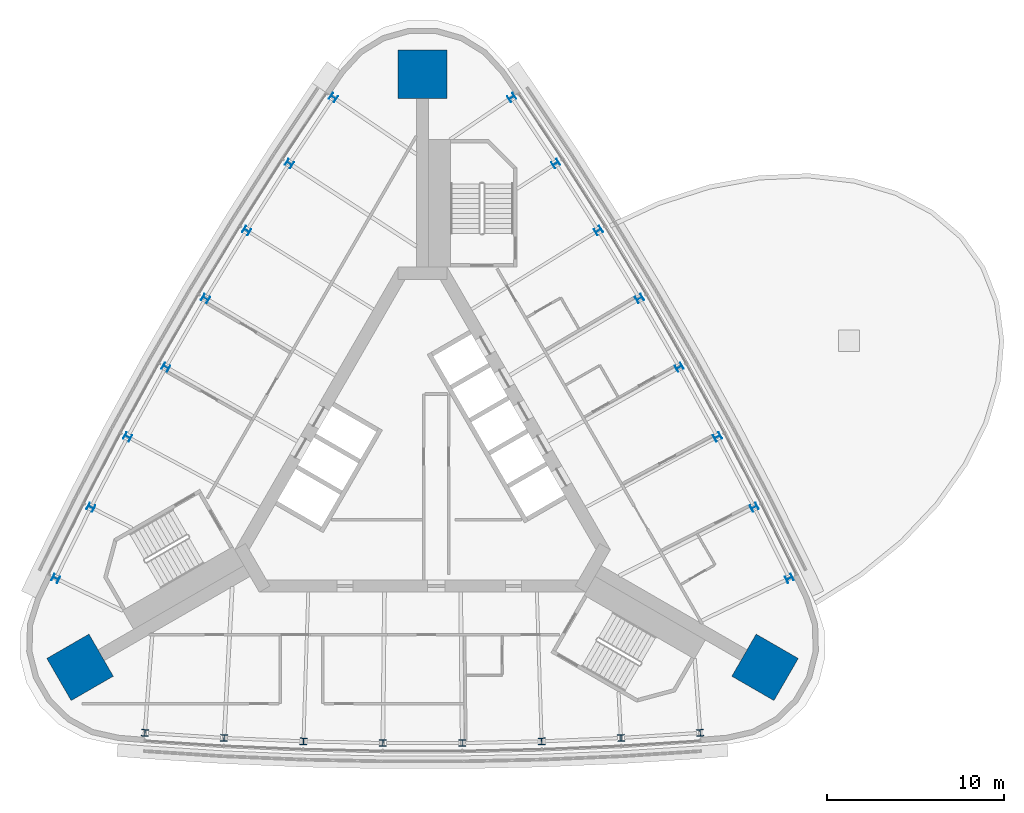
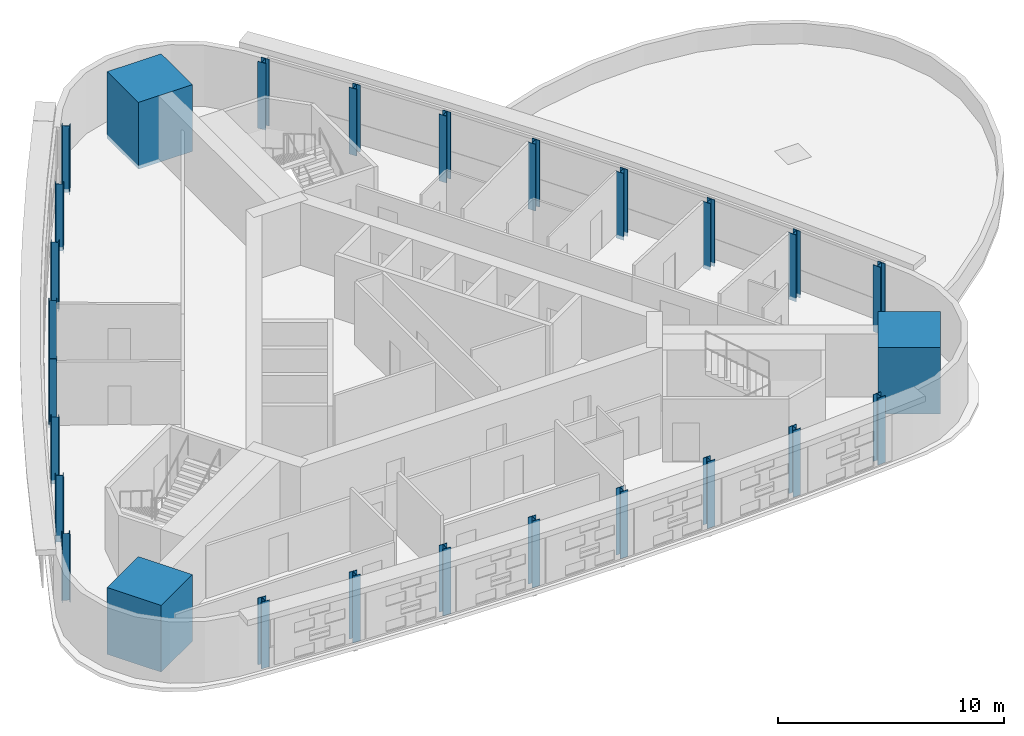
# One storey, part 1 of 12: 27 columns.
"""IFC4 building model written with IfcOpenShell, lengths in metres."""

from ifc_helpers import new_model, si_unit, direction, frame, origin, origin_2d, place, context, subcontext, project, spatial, rectangle, i_section, extrude, material, material_profile, profile_set, type_object, element, save


model = new_model("IFC4")

# Units and contexts
model_context = context("Model", 3, precision=1e-05, world=origin(), true_north=direction((0.0, 1.0)))
body_context = subcontext(model_context, "Body", "Model", "MODEL_VIEW")
ifc_project = project(units=[si_unit("LENGTHUNIT", "METRE"), si_unit("AREAUNIT", "SQUARE_METRE"), si_unit("VOLUMEUNIT", "CUBIC_METRE"), si_unit("PLANEANGLEUNIT", "RADIAN"), si_unit("MASSUNIT", "GRAM", prefix="KILO")], contexts=[model_context])

# Site, building, storey
site_placement = place(None, origin())
site = spatial("IfcSite", under=ifc_project, at=site_placement, CompositionType="ELEMENT")
building_placement = place(site_placement, origin())
building = spatial("IfcBuilding", under=site, at=building_placement, Name="Noor Cloister Tower", CompositionType="ELEMENT")
storey_placement = place(building_placement, frame((0.0, 0.0, 185.10009765625)))
storey = spatial("IfcBuildingStorey", under=building, at=storey_placement, Name="L47", CompositionType="ELEMENT", Elevation=185.10009765625)

# Columns
ifc_material_1 = material(Name="Steel ASTM A992 Gr 50", Category="steel")
ifc_material_profile_1 = material_profile(ifc_material_1, i_section(OverallWidth=0.39404296875, OverallDepth=0.3759765625, WebThickness=0.017333984375, FlangeThickness=0.027587890625, FilletRadius=0.01513671875, at=origin_2d()), Name="W360x216")
ifc_profile_set_1 = profile_set([ifc_material_profile_1], Name="Steel ASTM A992 Gr 50")
column_type_1 = type_object("IfcColumnType", Name="Column W360x216", PredefinedType="COLUMN", material=ifc_profile_set_1)
for number, where, z_axis, x_axis, name in (
    (1, (-5.0400390625, 21.03173828125, -0.2001953125), (0.0, 0.0, 1.0), (-0.563426124818, -0.826166449254, 0.0), "Column NW 01 L47"),
    (2, (-7.52880859375, 17.296875, -0.2001953125), (0.0, 0.0, 1.0), (-0.54561175078, -0.838038076349, 0.0), "Column NW 02 L47"),
    (3, (-9.937255859375, 13.509765625, -0.2001953125), (0.0, 0.0, 1.0), (-0.527547329709, -0.849525641118, 0.0), "Column NW 03 L47"),
    (4, (-12.263916015625, 9.671875, -0.2001953125), (0.0, 0.0, 1.0), (-0.509241140315, -0.860623878945, 0.0), "Column NW 04 L47"),
    (5, (-14.508056640625, 5.784912109375, -0.2001953125), (0.0, 0.0, 1.0), (-0.490701572112, -0.871327703638, 0.0), "Column NW 05 L47"),
    (6, (-16.66845703125, 1.85107421875, -0.2001953125), (0.0, 0.0, 1.0), (-0.47193712152, -0.881632209786, 0.0), "Column NW 06 L47"),
    (7, (-18.744140625, -2.12841796875, -0.2001953125), (0.0, 0.0, 1.0), (-0.452956388067, -0.891532674953, 0.0), "Column NW 07 L47"),
    (8, (-20.734130859375, -6.151123046875, -0.2001953125), (0.0, 0.0, 1.0), (-0.4337680704, -0.901024561875, 0.0), "Column NW 08 L47"),
    (9, (-15.694091796875, -14.880615234375, -0.2001953125), (0.0, 0.0, 1.0), (0.997194195217, -0.074858112621, 0.0), "Column S 01 L47"),
    (10, (-11.215087890625, -15.168701171875, -0.2001953125), (0.0, 0.0, 1.0), (0.998568138847, -0.053494598604, 0.0), "Column S 02 L47"),
    (11, (-6.731201171875, -15.36083984375, -0.2001953125), (0.0, 0.0, 1.0), (0.999484451229, -0.032106568667, 0.0), "Column S 03 L47"),
    (12, (-2.244140625, -15.456787109375, -0.2001953125), (0.0, 0.0, 1.0), (0.999942712428, -0.010703824693, 0.0), "Column S 04 L47"),
    (13, (2.244140625, -15.456787109375, -0.2001953125), (0.0, 0.0, 1.0), (0.999942712428, 0.010703824693, 0.0), "Column S 05 L47"),
    (14, (6.731201171875, -15.36083984375, -0.2001953125), (0.0, 0.0, 1.0), (0.999484451229, 0.032106568667, 0.0), "Column S 06 L47"),
    (15, (11.215087890625, -15.168701171875, -0.2001953125), (0.0, 0.0, 1.0), (0.998568138847, 0.053494598604, 0.0), "Column S 07 L47"),
    (16, (15.694091796875, -14.880615234375, -0.2001953125), (0.0, 0.0, 1.0), (0.997194195217, 0.074858112621, 0.0), "Column S 08 L47"),
    (17, (20.734130859375, -6.151123046875, -0.2001953125), (0.0, 0.0, 1.0), (-0.4337680704, 0.901024561875, 0.0), "Column NE 01 L47"),
    (18, (18.744140625, -2.12841796875, -0.2001953125), (0.0, 0.0, 1.0), (-0.452956388067, 0.891532674953, 0.0), "Column NE 02 L47"),
    (19, (16.66845703125, 1.85107421875, -0.2001953125), (0.0, 0.0, 1.0), (-0.47193712152, 0.881632209786, 0.0), "Column NE 03 L47"),
    (20, (14.508056640625, 5.784912109375, -0.2001953125), (0.0, 0.0, 1.0), (-0.490701572112, 0.871327703638, 0.0), "Column NE 04 L47"),
    (21, (12.263916015625, 9.671875, -0.2001953125), (0.0, 0.0, 1.0), (-0.509241140315, 0.860623878945, 0.0), "Column NE 05 L47"),
    (22, (9.937255859375, 13.509765625, -0.2001953125), (0.0, 0.0, 1.0), (-0.527547329709, 0.849525641118, 0.0), "Column NE 06 L47"),
    (23, (7.52880859375, 17.296875, -0.2001953125), (0.0, 0.0, 1.0), (-0.54561175078, 0.838038076349, 0.0), "Column NE 07 L47"),
    (24, (5.0400390625, 21.03173828125, -0.2001953125), (0.0, 0.0, 1.0), (-0.563426124818, 0.826166449254, 0.0), "Column NE 08 L47"),
):
    element("IfcColumn", number, at=place(storey_placement, frame(where, z_axis=z_axis, x_axis=x_axis)), inside=storey, type_object=column_type_1, Name=name, PredefinedType="COLUMN", context=body_context, shape_type="SweptSolid", body=[
        extrude(i_section(OverallWidth=0.39404296875, OverallDepth=0.3759765625, WebThickness=0.017333984375, FlangeThickness=0.027587890625, FilletRadius=0.01513671875, at=origin_2d()), origin(), (0.0, 0.0, 1.0), 3.60009765625),
    ])
ifc_material_2 = material(Name="Concrete C70/85", Category="concrete")
ifc_material_profile_2 = material_profile(ifc_material_2, rectangle(XDim=2.75, YDim=2.75, at=origin_2d()), Name="RC 2750x2750")
ifc_profile_set_2 = profile_set([ifc_material_profile_2], Name="Concrete C70/85")
column_type_2 = type_object("IfcColumnType", Name="Corner pier 2750 x 2750 C70/85", PredefinedType="COLUMN", material=ifc_profile_set_2)
for number, where, z_axis, x_axis, name in (
    (25, (0.0, 22.35302734375, -0.2001953125), (0.0, 0.0, 1.0), (0.0, 1.0, 0.0), "Corner pier N L47"),
    (26, (-19.358154296875, -11.176513671875, -0.2001953125), (0.0, 0.0, 1.0), (-0.866025403784, -0.5, 0.0), "Corner pier SW L47"),
    (27, (19.358154296875, -11.176513671875, -0.2001953125), (0.0, 0.0, 1.0), (0.866025403784, -0.5, 0.0), "Corner pier SE L47"),
):
    element("IfcColumn", number, at=place(storey_placement, frame(where, z_axis=z_axis, x_axis=x_axis)), inside=storey, type_object=column_type_2, Name=name, PredefinedType="COLUMN", context=body_context, shape_type="SweptSolid", body=[
        extrude(rectangle(XDim=2.75, YDim=2.75, at=origin_2d()), origin(), (0.0, 0.0, 1.0), 3.60009765625),
    ])

save(model, "model.ifc")
